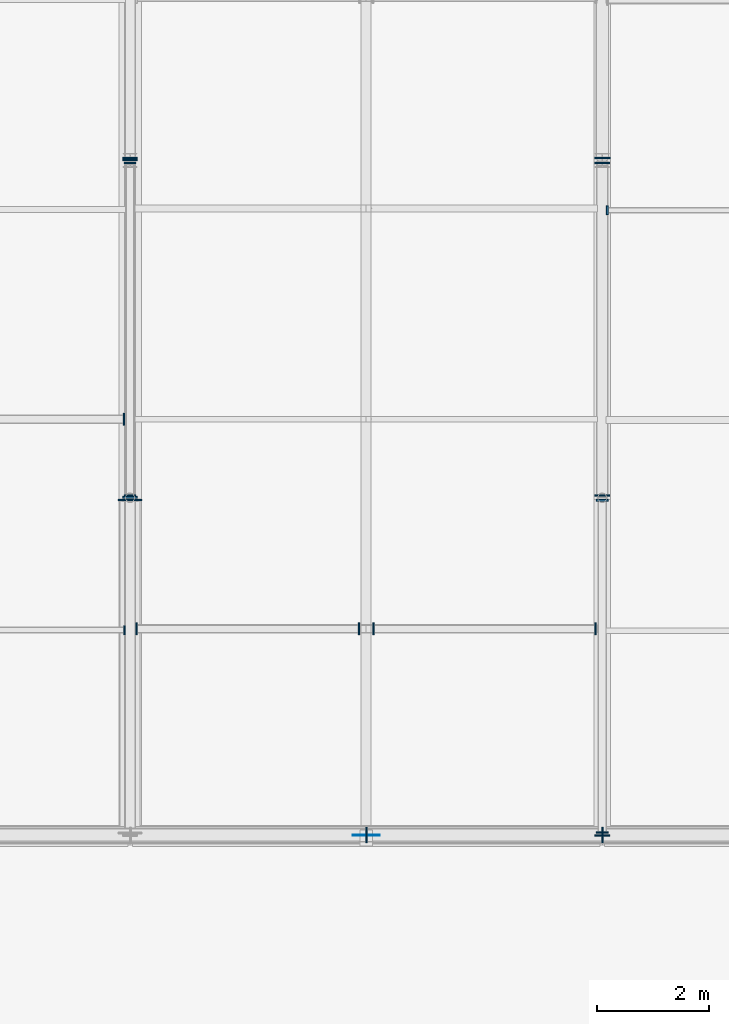
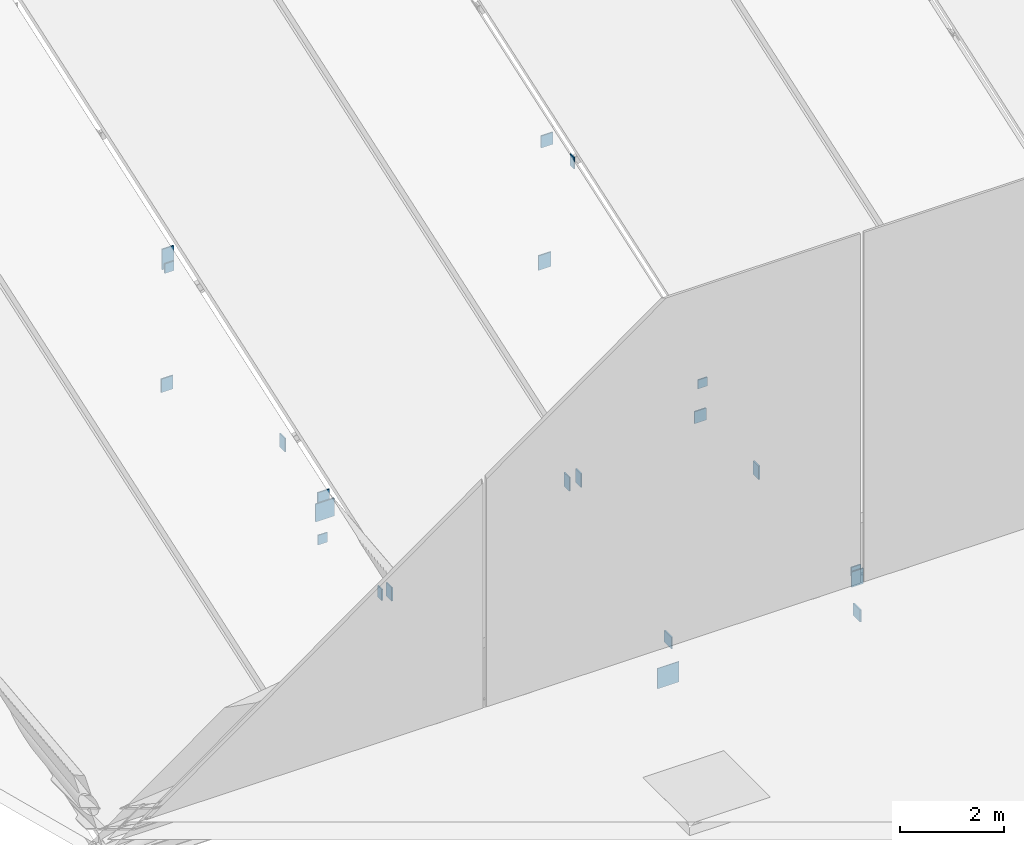
# One storey, part 57 of 77: 22 plates.
"""IFC4 building model written with IfcOpenShell, lengths in metres."""

from ifc_helpers import new_model, si_unit, direction, frame, origin, origin_2d, place, context, subcontext, project, spatial, rectangle, extrude, material, layer, layer_set, type_object, element, save


model = new_model("IFC4")

# Units and contexts
model_context = context("Model", 3, precision=1e-05, world=origin(), true_north=direction((0.0, 1.0)))
body_context = subcontext(model_context, "Body", "Model", "MODEL_VIEW")
ifc_project = project(units=[si_unit("LENGTHUNIT", "METRE"), si_unit("AREAUNIT", "SQUARE_METRE"), si_unit("VOLUMEUNIT", "CUBIC_METRE"), si_unit("PLANEANGLEUNIT", "RADIAN"), si_unit("MASSUNIT", "GRAM", prefix="KILO")], contexts=[model_context])

# Site, building, storey
site_placement = place(None, origin())
site = spatial("IfcSite", under=ifc_project, at=site_placement, CompositionType="ELEMENT")
building_placement = place(site_placement, origin())
building = spatial("IfcBuilding", under=site, at=building_placement, Name="Larkvane Passage Sports Hall", CompositionType="ELEMENT")
storey_placement = place(building_placement, frame((0.0, 0.0, 22.199951171875)))
storey = spatial("IfcBuildingStorey", under=building, at=storey_placement, Name="RF", CompositionType="ELEMENT", Elevation=22.199951171875)

# Plates
ifc_material_1 = material(Name="Steel S355JR", Category="steel")
ifc_layer_1 = layer(ifc_material_1, 0.011962890625)
ifc_layer_set_1 = layer_set([ifc_layer_1], Name="Steel S355JR")
plate_type_1 = type_object("IfcPlateType", Name="PLT-CAP-12", PredefinedType="SHEET", material=ifc_layer_set_1)
for number, where, z_axis, x_axis, name in (
    (1, (51.60009765625, 45.64453125, 0.12451171875), (0.0, 0.0, 1.0), (-1.0, 0.0, 0.0), "Hollow section sealed end cap plate 0261"),
    (2, (51.60009765625, 51.555419921875, 2.925048828125), (0.0, 0.0, 1.0), (-1.0, 0.0, 0.0), "Hollow section sealed end cap plate 0262"),
):
    element("IfcPlate", number, at=place(storey_placement, frame(where, z_axis=z_axis, x_axis=x_axis)), inside=storey, type_object=plate_type_1, Name=name, PredefinedType="SHEET", context=body_context, shape_type="SweptSolid", body=[
        extrude(rectangle(XDim=0.2099609375, YDim=0.028076171875, at=origin_2d()), origin(), (0.0, 0.0, 1.0), 0.22607421875),
    ])
plate_1_placement = place(storey_placement, frame((51.60009765625, 51.6455078125, 0.07666015625), z_axis=(0.0, 0.0, 1.0), x_axis=(-1.0, 0.0, 0.0)))
element("IfcPlate", 3, at=plate_1_placement, inside=storey, type_object=plate_type_1, Name="Hollow section sealed end cap plate 0264", PredefinedType="SHEET", context=body_context, shape_type="SweptSolid", body=[
    extrude(rectangle(XDim=0.260009765625, YDim=0.028076171875, at=origin_2d()), origin(), (0.0, 0.0, 1.0), 0.319091796875),
])
for number, where, z_axis, x_axis, name in (
    (4, (60.0, 39.64404296875, 0.083740234375), (0.0, 0.0, 1.0), (-1.0, 0.0, 0.0), "Hollow section sealed end cap plate 0278"),
    (5, (60.0, 45.555908203125, 0.907958984375), (0.0, 0.0, 1.0), (-1.0, 0.0, 0.0), "Hollow section sealed end cap plate 0279"),
):
    element("IfcPlate", number, at=place(storey_placement, frame(where, z_axis=z_axis, x_axis=x_axis)), inside=storey, type_object=plate_type_1, Name=name, PredefinedType="SHEET", context=body_context, shape_type="SweptSolid", body=[
        extrude(rectangle(XDim=0.2099609375, YDim=0.028076171875, at=origin_2d()), origin(), (0.0, 0.0, 1.0), 0.2109375),
    ])
for number, where, z_axis, x_axis, name in (
    (6, (60.0, 45.64453125, 0.0458984375), (0.0, 0.0, 1.0), (-1.0, 0.0, 0.0), "Hollow section sealed end cap plate 0280"),
    (7, (60.0, 51.555419921875, 2.94677734375), (0.0, 0.0, 1.0), (-1.0, 0.0, 0.0), "Hollow section sealed end cap plate 0281"),
):
    element("IfcPlate", number, at=place(storey_placement, frame(where, z_axis=z_axis, x_axis=x_axis)), inside=storey, type_object=plate_type_1, Name=name, PredefinedType="SHEET", context=body_context, shape_type="SweptSolid", body=[
        extrude(rectangle(XDim=0.260009765625, YDim=0.028076171875, at=origin_2d()), origin(), (0.0, 0.0, 1.0), 0.282958984375),
    ])
plate_2_placement = place(storey_placement, frame((60.0, 51.6455078125, 0.0146484375), z_axis=(0.0, 0.0, 1.0), x_axis=(-1.0, 0.0, 0.0)))
element("IfcPlate", 8, at=plate_2_placement, inside=storey, type_object=plate_type_1, Name="Hollow section sealed end cap plate 0282", PredefinedType="SHEET", context=body_context, shape_type="SweptSolid", body=[
    extrude(rectangle(XDim=0.27587890625, YDim=0.028076171875, at=origin_2d()), origin(), (0.0, 0.0, 1.0), 0.343017578125),
])
for number, where, z_axis, x_axis, name in (
    (9, (55.805908203125, 39.60009765625, -0.0888671875), (0.0, 0.0, 1.0), (0.0, 1.0, 0.0), "Hollow section sealed end cap plate 0370"),
    (10, (60.005859375, 39.60009765625, -0.92138671875), (0.0, 0.0, 1.0), (0.0, 1.0, 0.0), "Hollow section sealed end cap plate 0371"),
):
    element("IfcPlate", number, at=place(storey_placement, frame(where, z_axis=z_axis, x_axis=x_axis)), inside=storey, type_object=plate_type_1, Name=name, PredefinedType="SHEET", context=body_context, shape_type="SweptSolid", body=[
        extrude(rectangle(XDim=0.27587890625, YDim=0.028076171875, at=origin_2d()), origin(), (0.0, 0.0, 1.0), 0.280029296875),
    ])
plate_3_placement = place(storey_placement, frame((51.500244140625, 43.247802734375, 0.310791015625), z_axis=(0.0, 0.0, 1.0), x_axis=(0.0, 1.0, 0.0)))
element("IfcPlate", 11, at=plate_3_placement, inside=storey, type_object=plate_type_1, Name="Hollow section sealed end cap plate 0408", PredefinedType="SHEET", context=body_context, shape_type="SweptSolid", body=[
    extrude(rectangle(XDim=0.159912109375, YDim=0.028076171875, at=origin_2d()), origin(), (0.0, 0.0, 1.0), 0.26806640625),
])
for number, where, z_axis, x_axis, name in (
    (12, (51.49365234375, 46.99560546875, 1.55419921875), (0.0, 0.0, 1.0), (0.0, 1.0, 0.0), "Hollow section sealed end cap plate 0410"),
    (13, (51.716796875, 43.268310546875, 0.2255859375), (0.0, 0.0, 1.0), (0.0, 1.0, 0.0), "Hollow section sealed end cap plate 0425"),
    (14, (55.92822265625, 43.268310546875, 1.4287109375), (0.0, 0.0, 1.0), (0.0, 1.0, 0.0), "Hollow section sealed end cap plate 0426"),
    (15, (55.671630859375, 43.268310546875, 1.4287109375), (0.0, 0.0, 1.0), (0.0, 1.0, 0.0), "Hollow section sealed end cap plate 0431"),
    (16, (59.88330078125, 43.268310546875, 0.2255859375), (0.0, 0.0, 1.0), (0.0, 1.0, 0.0), "Hollow section sealed end cap plate 0432"),
):
    element("IfcPlate", number, at=place(storey_placement, frame(where, z_axis=z_axis, x_axis=x_axis)), inside=storey, type_object=plate_type_1, Name=name, PredefinedType="SHEET", context=body_context, shape_type="SweptSolid", body=[
        extrude(rectangle(XDim=0.2099609375, YDim=0.028076171875, at=origin_2d()), origin(), (0.0, 0.0, 1.0), 0.320068359375),
    ])
plate_4_placement = place(storey_placement, frame((60.08935546875, 50.715087890625, 2.931396484375), z_axis=(0.0, 0.0, 1.0), x_axis=(0.0, 1.0, 0.0)))
element("IfcPlate", 17, at=plate_4_placement, inside=storey, type_object=plate_type_1, Name="Hollow section sealed end cap plate 0449", PredefinedType="SHEET", context=body_context, shape_type="SweptSolid", body=[
    extrude(rectangle(XDim=0.159912109375, YDim=0.028076171875, at=origin_2d()), origin(), (0.0, 0.0, 1.0), 0.26806640625),
])
ifc_material_2 = material(Name="Steel S460N", Category="steel")
ifc_layer_2 = layer(ifc_material_2, 0.02001953125)
ifc_layer_set_2 = layer_set([ifc_layer_2], Name="Steel S460N")
plate_type_2 = type_object("IfcPlateType", Name="PLT-CAP-20", PredefinedType="SHEET", material=ifc_layer_set_2)
plate_5_placement = place(storey_placement, frame((51.60009765625, 45.60986328125, 0.9228515625), z_axis=(0.0, 0.0, 1.0), x_axis=(-1.0, 0.0, 0.0)))
element("IfcPlate", 18, at=plate_5_placement, inside=storey, type_object=plate_type_2, Name="Hollow section sealed end cap plate 0257", PredefinedType="SHEET", context=body_context, shape_type="SweptSolid", body=[
    extrude(rectangle(XDim=0.260009765625, YDim=0.028076171875, at=origin_2d()), origin(), (0.0, 0.0, 1.0), 0.4619140625),
])
plate_6_placement = place(storey_placement, frame((51.60009765625, 45.559814453125, 0.7548828125), z_axis=(0.0, 0.0, 1.0), x_axis=(-1.0, 0.0, 0.0)))
element("IfcPlate", 19, at=plate_6_placement, inside=storey, type_object=plate_type_2, Name="Hollow section sealed end cap plate 0259", PredefinedType="SHEET", context=body_context, shape_type="SweptSolid", body=[
    extrude(rectangle(XDim=0.416015625, YDim=0.028076171875, at=origin_2d()), origin(), (0.0, 0.0, 1.0), 0.41796875),
])
plate_7_placement = place(storey_placement, frame((51.60009765625, 51.609619140625, 2.9873046875), z_axis=(0.0, 0.0, 1.0), x_axis=(-1.0, 0.0, 0.0)))
element("IfcPlate", 20, at=plate_7_placement, inside=storey, type_object=plate_type_2, Name="Hollow section sealed end cap plate 0260", PredefinedType="SHEET", context=body_context, shape_type="SweptSolid", body=[
    extrude(rectangle(XDim=0.260009765625, YDim=0.028076171875, at=origin_2d()), origin(), (0.0, 0.0, 1.0), 0.48291015625),
])
plate_8_placement = place(storey_placement, frame((60.0, 39.590087890625, -0.1298828125), z_axis=(0.0, 0.0, 1.0), x_axis=(-1.0, 0.0, 0.0)))
element("IfcPlate", 21, at=plate_8_placement, inside=storey, type_object=plate_type_2, Name="Hollow section sealed end cap plate 0276", PredefinedType="SHEET", context=body_context, shape_type="SweptSolid", body=[
    extrude(rectangle(XDim=0.260009765625, YDim=0.028076171875, at=origin_2d()), origin(), (0.0, 0.0, 1.0), 0.360107421875),
])
ifc_layer_3 = layer(ifc_material_2, 0.01611328125)
ifc_layer_set_3 = layer_set([ifc_layer_3], Name="Steel S460N")
plate_type_3 = type_object("IfcPlateType", Name="PLT-GUS-16", PredefinedType="USERDEFINED", material=ifc_layer_set_3)
plate_9_placement = place(storey_placement, frame((55.800048828125, 39.60009765625, -1.02001953125), z_axis=(0.0, 0.0, 1.0), x_axis=(1.0, 0.0, 0.0)))
element("IfcPlate", 22, at=plate_9_placement, inside=storey, type_object=plate_type_3, Name="Brace connection gusset plate 0372", ObjectType="GUSSET PLATE", PredefinedType="USERDEFINED", context=body_context, shape_type="SweptSolid", body=[
    extrude(rectangle(XDim=0.47998046875, YDim=0.01611328125, at=origin_2d()), origin(), (0.0, 0.0, 1.0), 0.47998046875),
])

save(model, "model.ifc")
